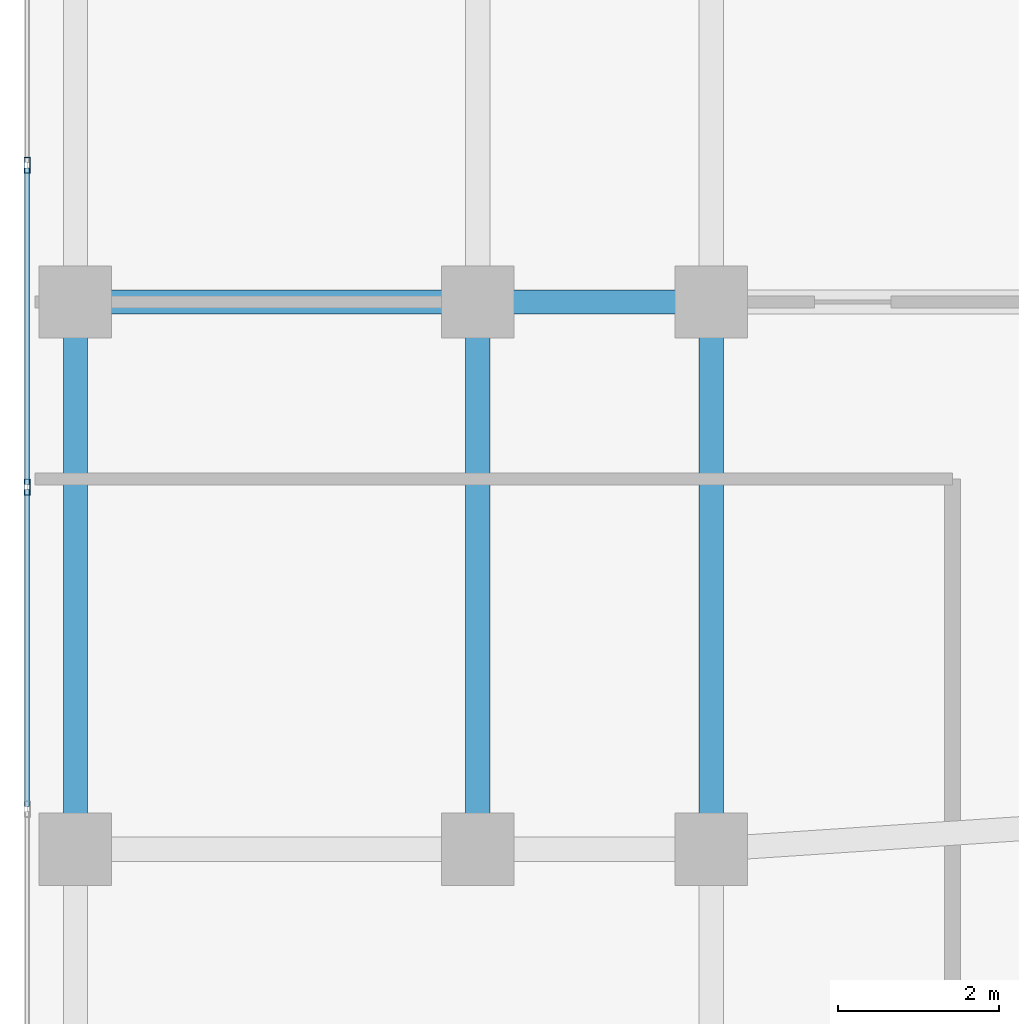
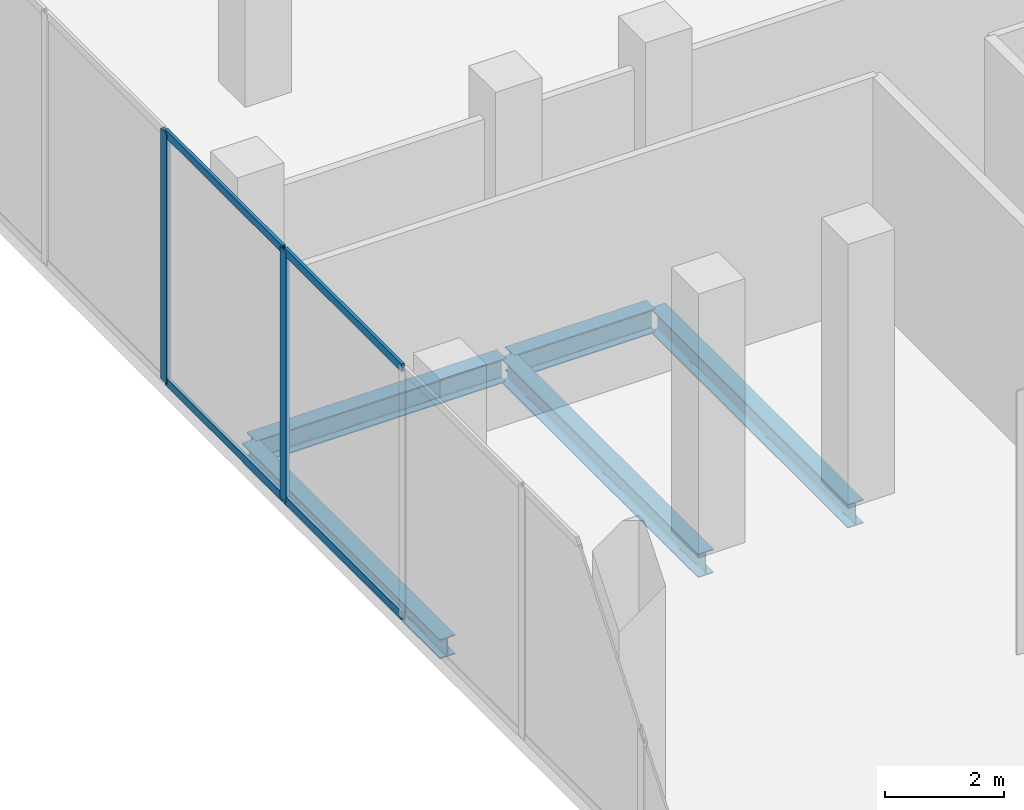
# One storey, part 7 of 24: 6 members, 5 beams, 1 element without a shape of its own.
"""IFC4 building model written with IfcOpenShell, lengths in metres."""

from ifc_helpers import new_model, si_unit, direction, frame, origin, origin_2d, place, context, subcontext, project, spatial, hollow_rectangle, i_section, extrude, material, layer, layer_set, material_profile, profile_set, type_object, element, aggregate, save


model = new_model("IFC4")

# Units and contexts
model_context = context("Model", 3, precision=1e-05, world=origin(), true_north=direction((0.0, 1.0)))
body_context = subcontext(model_context, "Body", "Model", "MODEL_VIEW")
ifc_project = project(units=[si_unit("LENGTHUNIT", "METRE"), si_unit("AREAUNIT", "SQUARE_METRE"), si_unit("VOLUMEUNIT", "CUBIC_METRE"), si_unit("PLANEANGLEUNIT", "RADIAN"), si_unit("MASSUNIT", "GRAM", prefix="KILO")], contexts=[model_context])

# Site, building, storey
site_placement = place(None, origin())
site = spatial("IfcSite", under=ifc_project, at=site_placement, CompositionType="ELEMENT")
building_placement = place(site_placement, origin())
building = spatial("IfcBuilding", under=site, at=building_placement, Name="Catumbela Crestline Tower", CompositionType="ELEMENT")
storey_placement = place(building_placement, frame((0.0, 0.0, 84.6)))
storey = spatial("IfcBuildingStorey", under=building, at=storey_placement, Name="L21", CompositionType="ELEMENT", Elevation=84.6)

# Beams
ifc_material_1 = material(Name="Structural steel S355J2", Category="steel")
ifc_material_profile_1 = material_profile(ifc_material_1, i_section(OverallWidth=0.3, OverallDepth=0.49, WebThickness=0.012, FlangeThickness=0.023, FilletRadius=0.027, at=origin_2d()), Name="HEA 500")
ifc_profile_set_1 = profile_set([ifc_material_profile_1], Name="Structural steel S355J2")
beam_type_1 = type_object("IfcBeamType", Name="BG-HEA500", PredefinedType="BEAM", material=ifc_profile_set_1)
beam_1_placement = place(storey_placement, frame((0.68, 30.8, -0.595), z_axis=(1.0, 0.0, 0.0), x_axis=(0.0, 1.0, 0.0)))
element("IfcBeam", 1, at=beam_1_placement, inside=storey, type_object=beam_type_1, Name="L21 Beam BM-L21-M07", PredefinedType="BEAM", context=body_context, shape_type="SweptSolid", body=[
    extrude(i_section(OverallWidth=0.3, OverallDepth=0.49, WebThickness=0.012, FlangeThickness=0.023, FilletRadius=0.027, at=origin_2d()), origin(), (0.0, 0.0, 1.0), 4.84),
])
beam_2_placement = place(storey_placement, frame((5.68, 30.8, -0.595), z_axis=(1.0, 0.0, 0.0), x_axis=(0.0, 1.0, 0.0)))
element("IfcBeam", 2, at=beam_2_placement, inside=storey, type_object=beam_type_1, Name="L21 Beam BM-L21-M08", PredefinedType="BEAM", context=body_context, shape_type="SweptSolid", body=[
    extrude(i_section(OverallWidth=0.3, OverallDepth=0.49, WebThickness=0.012, FlangeThickness=0.023, FilletRadius=0.027, at=origin_2d()), origin(), (0.0, 0.0, 1.0), 2.74),
])
for number, where, z_axis, x_axis, name in (
    (3, (5.6, 24.08, -0.595), (0.0, 1.0, 0.0), (-1.0, 0.0, 0.0), "L21 Beam BM-L21-SN24"),
    (4, (8.5, 24.08, -0.595), (0.0, 1.0, 0.0), (-1.0, 0.0, 0.0), "L21 Beam BM-L21-SN26"),
):
    element("IfcBeam", number, at=place(storey_placement, frame(where, z_axis=z_axis, x_axis=x_axis)), inside=storey, type_object=beam_type_1, Name=name, PredefinedType="BEAM", context=body_context, shape_type="SweptSolid", body=[
        extrude(i_section(OverallWidth=0.3, OverallDepth=0.49, WebThickness=0.012, FlangeThickness=0.023, FilletRadius=0.027, at=origin_2d()), origin(), (0.0, 0.0, 1.0), 6.64),
    ])

# Curtain wall, members
ifc_material_2 = material(Name="Aluminium alloy AW-6060-T66", Category="aluminium")
ifc_layer = layer(ifc_material_2, 0.18, Name="Aluminium alloy AW-6060-T66")
ifc_layer_set = layer_set([ifc_layer], Name="Aluminium alloy AW-6060-T66")
curtain_wall_type = type_object("IfcCurtainWallType", Name="CWU-SKY", PredefinedType="USERDEFINED", material=ifc_layer_set)
curtain_wall_placement = place(storey_placement, origin())
curtain_wall = element("IfcCurtainWall", 5, at=curtain_wall_placement, inside=storey, type_object=curtain_wall_type, Name="L21 Unitised Curtain Wall CW-L21-E9S1", ObjectType="UNITISED", PredefinedType="USERDEFINED")
ifc_material_profile_2 = material_profile(ifc_material_2, hollow_rectangle(XDim=0.075, YDim=0.2, WallThickness=0.005, at=origin_2d()), Name="ALU 200x75x5")
ifc_profile_set_2 = profile_set([ifc_material_profile_2], Name="Aluminium alloy AW-6060-T66")
member_type_1 = type_object("IfcMemberType", Name="MUL-200X75", PredefinedType="MULLION", material=ifc_profile_set_2)
member_1_placement = place(storey_placement, frame((0.0, 32.5, 0.0), z_axis=(0.0, 0.0, 1.0), x_axis=(1.0, 0.0, 0.0)))
member_1 = element("IfcMember", 6, at=member_1_placement, type_object=member_type_1, Name="CWU-SKY mullion 4", PredefinedType="MULLION", context=body_context, shape_type="SweptSolid", body=[
    extrude(hollow_rectangle(XDim=0.075, YDim=0.2, WallThickness=0.005, at=origin_2d()), origin(), (0.0, 0.0, 1.0), 5.13),
])
member_2_placement = place(storey_placement, frame((0.0, 28.5, 0.0), z_axis=(0.0, 0.0, 1.0), x_axis=(1.0, 0.0, 0.0)))
member_2 = element("IfcMember", 7, at=member_2_placement, type_object=member_type_1, Name="CWU-SKY mullion 5", PredefinedType="MULLION", context=body_context, shape_type="SweptSolid", body=[
    extrude(hollow_rectangle(XDim=0.075, YDim=0.2, WallThickness=0.005, at=origin_2d()), origin(), (0.0, 0.0, 1.0), 5.13),
])

# Beam
ifc_material_profile_3 = material_profile(ifc_material_1, i_section(OverallWidth=0.3, OverallDepth=0.4, WebThickness=0.0135, FlangeThickness=0.024, FilletRadius=0.027, at=origin_2d()), Name="HEB 400")
ifc_profile_set_3 = profile_set([ifc_material_profile_3], Name="Structural steel S355J2")
beam_type_2 = type_object("IfcBeamType", Name="BS-HEB400", PredefinedType="SPANDREL", material=ifc_profile_set_3)
beam_3_placement = place(storey_placement, frame((0.6, 24.08, -0.55), z_axis=(0.0, 1.0, 0.0), x_axis=(-1.0, 0.0, 0.0)))
element("IfcBeam", 8, at=beam_3_placement, inside=storey, type_object=beam_type_2, Name="L21 Spandrel SP-L21-SN22", PredefinedType="SPANDREL", context=body_context, shape_type="SweptSolid", body=[
    extrude(i_section(OverallWidth=0.3, OverallDepth=0.4, WebThickness=0.0135, FlangeThickness=0.024, FilletRadius=0.027, at=origin_2d()), origin(), (0.0, 0.0, 1.0), 6.64),
])

# Member
ifc_material_profile_4 = material_profile(ifc_material_2, hollow_rectangle(XDim=0.06, YDim=0.16, WallThickness=0.004, at=origin_2d()), Name="ALU 160x60x4")
ifc_profile_set_4 = profile_set([ifc_material_profile_4], Name="Aluminium alloy AW-6060-T66")
member_type_2 = type_object("IfcMemberType", Name="TRN-160X60", PredefinedType="USERDEFINED", material=ifc_profile_set_4)
member_3_placement = place(storey_placement, frame((0.0, 32.4675, 0.03), z_axis=(0.0, -1.0, 0.0), x_axis=(1.0, 0.0, 0.0)))
member_3 = element("IfcMember", 9, at=member_3_placement, type_object=member_type_2, Name="CWU-SKY transom 4.1", ObjectType="TRANSOM", PredefinedType="USERDEFINED", context=body_context, shape_type="SweptSolid", body=[
    extrude(hollow_rectangle(XDim=0.06, YDim=0.16, WallThickness=0.004, at=origin_2d()), origin(), (0.0, 0.0, 1.0), 3.935),
])

member_4_placement = place(storey_placement, frame((0.0, 32.4675, 5.1), z_axis=(0.0, -1.0, 0.0), x_axis=(1.0, 0.0, 0.0)))
member_4 = element("IfcMember", 10, at=member_4_placement, type_object=member_type_2, Name="CWU-SKY transom 4.2", ObjectType="TRANSOM", PredefinedType="USERDEFINED", context=body_context, shape_type="SweptSolid", body=[
    extrude(hollow_rectangle(XDim=0.06, YDim=0.16, WallThickness=0.004, at=origin_2d()), origin(), (0.0, 0.0, 1.0), 3.935),
])

member_5_placement = place(storey_placement, frame((0.0, 28.4675, 0.03), z_axis=(0.0, -1.0, 0.0), x_axis=(1.0, 0.0, 0.0)))
member_5 = element("IfcMember", 11, at=member_5_placement, type_object=member_type_2, Name="CWU-SKY transom 5.1", ObjectType="TRANSOM", PredefinedType="USERDEFINED", context=body_context, shape_type="SweptSolid", body=[
    extrude(hollow_rectangle(XDim=0.06, YDim=0.16, WallThickness=0.004, at=origin_2d()), origin(), (0.0, 0.0, 1.0), 3.935),
])

member_6_placement = place(storey_placement, frame((0.0, 28.4675, 5.1), z_axis=(0.0, -1.0, 0.0), x_axis=(1.0, 0.0, 0.0)))
member_6 = element("IfcMember", 12, at=member_6_placement, type_object=member_type_2, Name="CWU-SKY transom 5.2", ObjectType="TRANSOM", PredefinedType="USERDEFINED", context=body_context, shape_type="SweptSolid", body=[
    extrude(hollow_rectangle(XDim=0.06, YDim=0.16, WallThickness=0.004, at=origin_2d()), origin(), (0.0, 0.0, 1.0), 3.935),
])

aggregate(curtain_wall, [member_1, member_2, member_3, member_4, member_5, member_6])

save(model, "model.ifc")
